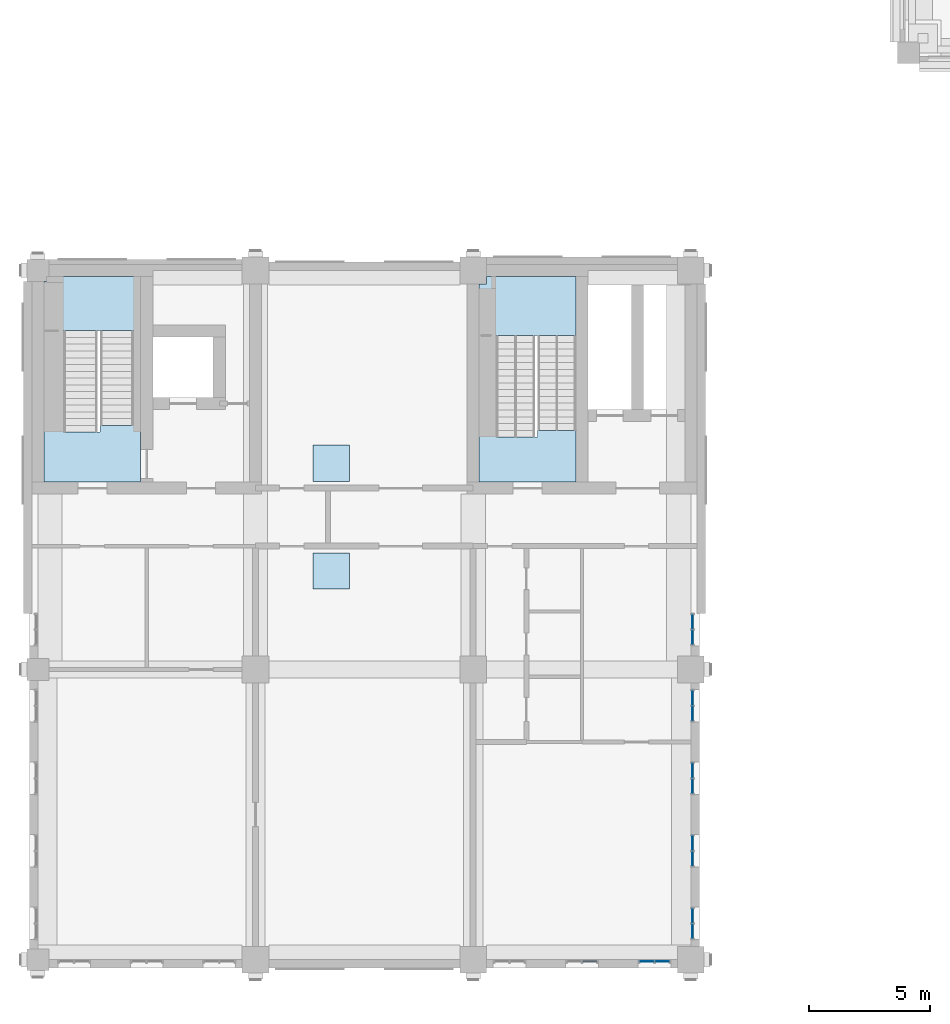
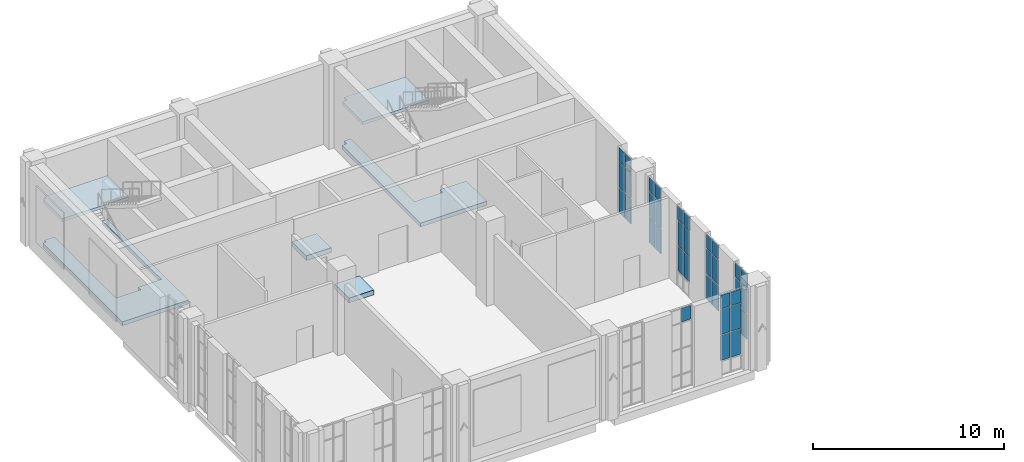
# One storey, part 10 of 22: 37 plates, 6 slabs, 9 elements without a shape of their own.
"""IFC4 building model written with IfcOpenShell, lengths in metres."""

from ifc_helpers import new_model, si_unit, direction, frame, origin, origin_2d, place, context, subcontext, project, spatial, polyline, rectangle, outline, extrude, material, layer, layer_set, type_object, element, aggregate, save


model = new_model("IFC4")

# Units and contexts
model_context = context("Model", 3, precision=1e-05, world=origin(), true_north=direction((0.0, 1.0)))
body_context = subcontext(model_context, "Body", "Model", "MODEL_VIEW")
ifc_project = project(units=[si_unit("LENGTHUNIT", "METRE"), si_unit("AREAUNIT", "SQUARE_METRE"), si_unit("VOLUMEUNIT", "CUBIC_METRE"), si_unit("PLANEANGLEUNIT", "RADIAN"), si_unit("MASSUNIT", "GRAM", prefix="KILO")], contexts=[model_context])

# Site, building, storey
site_placement = place(None, origin())
site = spatial("IfcSite", under=ifc_project, at=site_placement, CompositionType="ELEMENT")
building_placement = place(site_placement, origin())
building = spatial("IfcBuilding", under=site, at=building_placement, Name="Aurelan Courthouse", CompositionType="ELEMENT")
storey_placement = place(building_placement, frame((0.0, 0.0, 39.0)))
storey = spatial("IfcBuildingStorey", under=building, at=storey_placement, Name="L07", CompositionType="ELEMENT", Elevation=39.0)

# Curtain wall, plate
ifc_material_1 = material(Name="Bronze-finished aluminium and glass", Category="aluminium")
ifc_layer_1 = layer(ifc_material_1, 0.14990234375)
ifc_layer_set_1 = layer_set([ifc_layer_1], Name="Bronze-finished aluminium and glass")
curtain_wall_type = type_object("IfcCurtainWallType", Name="Curtain wall 1350 x 5150", PredefinedType="NOTDEFINED", material=ifc_layer_set_1)
curtain_wall_1_placement = place(storey_placement, origin())
curtain_wall_1 = element("IfcCurtainWall", 1, at=curtain_wall_1_placement, inside=storey, type_object=curtain_wall_type, Name="Curtain wall CW-V5-L07-S05", PredefinedType="NOTDEFINED")
ifc_material_2 = material(Name="Limestone cladding", Category="masonry")
ifc_layer_2 = layer(ifc_material_2, 0.0400390625, Name="Facing")
ifc_material_3 = material(Name="Bronze sheet cladding", Category="bronze")
ifc_layer_3 = layer(ifc_material_3, 0.02001953125, Name="Back sheet")
ifc_layer_set_2 = layer_set([ifc_layer_2, ifc_layer_3], Name="Limestone cladding")
plate_type_1 = type_object("IfcPlateType", Name="Limestone spandrel panel with bronze back sheet 60", PredefinedType="CURTAIN_PANEL", material=ifc_layer_set_2)
plate_1_placement = place(storey_placement, frame((22.822509765625, -0.074951171875, 4.22998046875), z_axis=(0.0, 0.0, 1.0), x_axis=(1.0, 0.0, 0.0)))
plate_1 = element("IfcPlate", 2, at=plate_1_placement, type_object=plate_type_1, Name="CW-V5-L07-S05 spandrel panel 2.4", PredefinedType="CURTAIN_PANEL", context=body_context, shape_type="SweptSolid", body=[
    extrude(rectangle(XDim=0.5849609375, YDim=0.06005859375, at=origin_2d()), origin(), (0.0, 0.0, 1.0), 0.860107421875),
])
aggregate(curtain_wall_1, [plate_1])

# Curtain wall, plates
curtain_wall_2_placement = place(storey_placement, origin())
curtain_wall_2 = element("IfcCurtainWall", 3, at=curtain_wall_2_placement, inside=storey, type_object=curtain_wall_type, Name="Curtain wall CW-V5-L07-S06", PredefinedType="NOTDEFINED")
plate_2_placement = place(storey_placement, frame((25.177490234375, -0.074951171875, 4.22998046875), z_axis=(0.0, 0.0, 1.0), x_axis=(1.0, 0.0, 0.0)))
plate_2 = element("IfcPlate", 4, at=plate_2_placement, type_object=plate_type_1, Name="CW-V5-L07-S06 spandrel panel 1.4", PredefinedType="CURTAIN_PANEL", context=body_context, shape_type="SweptSolid", body=[
    extrude(rectangle(XDim=0.5849609375, YDim=0.06005859375, at=origin_2d()), origin(), (0.0, 0.0, 1.0), 0.860107421875),
])
plate_3_placement = place(storey_placement, frame((25.822509765625, -0.074951171875, 4.22998046875), z_axis=(0.0, 0.0, 1.0), x_axis=(1.0, 0.0, 0.0)))
plate_3 = element("IfcPlate", 5, at=plate_3_placement, type_object=plate_type_1, Name="CW-V5-L07-S06 spandrel panel 2.4", PredefinedType="CURTAIN_PANEL", context=body_context, shape_type="SweptSolid", body=[
    extrude(rectangle(XDim=0.5849609375, YDim=0.06005859375, at=origin_2d()), origin(), (0.0, 0.0, 1.0), 0.860107421875),
])

curtain_wall_3_placement = place(storey_placement, origin())
curtain_wall_3 = element("IfcCurtainWall", 6, at=curtain_wall_3_placement, inside=storey, type_object=curtain_wall_type, Name="Curtain wall CW-V5-L07-E01", PredefinedType="NOTDEFINED")
plate_4_placement = place(storey_placement, frame((27.074951171875, 1.177490234375, 4.22998046875), z_axis=(0.0, 0.0, 1.0), x_axis=(0.0, 1.0, 0.0)))
plate_4 = element("IfcPlate", 7, at=plate_4_placement, type_object=plate_type_1, Name="CW-V5-L07-E01 spandrel panel 1.4", PredefinedType="CURTAIN_PANEL", context=body_context, shape_type="SweptSolid", body=[
    extrude(rectangle(XDim=0.5849609375, YDim=0.06005859375, at=origin_2d()), origin(), (0.0, 0.0, 1.0), 0.860107421875),
])
plate_5_placement = place(storey_placement, frame((27.074951171875, 1.822509765625, 4.22998046875), z_axis=(0.0, 0.0, 1.0), x_axis=(0.0, 1.0, 0.0)))
plate_5 = element("IfcPlate", 8, at=plate_5_placement, type_object=plate_type_1, Name="CW-V5-L07-E01 spandrel panel 2.4", PredefinedType="CURTAIN_PANEL", context=body_context, shape_type="SweptSolid", body=[
    extrude(rectangle(XDim=0.5849609375, YDim=0.06005859375, at=origin_2d()), origin(), (0.0, 0.0, 1.0), 0.860107421875),
])

curtain_wall_4_placement = place(storey_placement, origin())
curtain_wall_4 = element("IfcCurtainWall", 9, at=curtain_wall_4_placement, inside=storey, type_object=curtain_wall_type, Name="Curtain wall CW-V5-L07-E02", PredefinedType="NOTDEFINED")
plate_6_placement = place(storey_placement, frame((27.074951171875, 4.177490234375, 4.22998046875), z_axis=(0.0, 0.0, 1.0), x_axis=(0.0, 1.0, 0.0)))
plate_6 = element("IfcPlate", 10, at=plate_6_placement, type_object=plate_type_1, Name="CW-V5-L07-E02 spandrel panel 1.4", PredefinedType="CURTAIN_PANEL", context=body_context, shape_type="SweptSolid", body=[
    extrude(rectangle(XDim=0.5849609375, YDim=0.06005859375, at=origin_2d()), origin(), (0.0, 0.0, 1.0), 0.860107421875),
])
plate_7_placement = place(storey_placement, frame((27.074951171875, 4.822509765625, 4.22998046875), z_axis=(0.0, 0.0, 1.0), x_axis=(0.0, 1.0, 0.0)))
plate_7 = element("IfcPlate", 11, at=plate_7_placement, type_object=plate_type_1, Name="CW-V5-L07-E02 spandrel panel 2.4", PredefinedType="CURTAIN_PANEL", context=body_context, shape_type="SweptSolid", body=[
    extrude(rectangle(XDim=0.5849609375, YDim=0.06005859375, at=origin_2d()), origin(), (0.0, 0.0, 1.0), 0.860107421875),
])

curtain_wall_5_placement = place(storey_placement, origin())
curtain_wall_5 = element("IfcCurtainWall", 12, at=curtain_wall_5_placement, inside=storey, type_object=curtain_wall_type, Name="Curtain wall CW-V5-L07-E03", PredefinedType="NOTDEFINED")
plate_8_placement = place(storey_placement, frame((27.074951171875, 7.177490234375, 4.22998046875), z_axis=(0.0, 0.0, 1.0), x_axis=(0.0, 1.0, 0.0)))
plate_8 = element("IfcPlate", 13, at=plate_8_placement, type_object=plate_type_1, Name="CW-V5-L07-E03 spandrel panel 1.4", PredefinedType="CURTAIN_PANEL", context=body_context, shape_type="SweptSolid", body=[
    extrude(rectangle(XDim=0.5849609375, YDim=0.06005859375, at=origin_2d()), origin(), (0.0, 0.0, 1.0), 0.860107421875),
])
plate_9_placement = place(storey_placement, frame((27.074951171875, 7.822509765625, 4.22998046875), z_axis=(0.0, 0.0, 1.0), x_axis=(0.0, 1.0, 0.0)))
plate_9 = element("IfcPlate", 14, at=plate_9_placement, type_object=plate_type_1, Name="CW-V5-L07-E03 spandrel panel 2.4", PredefinedType="CURTAIN_PANEL", context=body_context, shape_type="SweptSolid", body=[
    extrude(rectangle(XDim=0.5849609375, YDim=0.06005859375, at=origin_2d()), origin(), (0.0, 0.0, 1.0), 0.860107421875),
])

curtain_wall_6_placement = place(storey_placement, origin())
curtain_wall_6 = element("IfcCurtainWall", 15, at=curtain_wall_6_placement, inside=storey, type_object=curtain_wall_type, Name="Curtain wall CW-V5-L07-E04", PredefinedType="NOTDEFINED")
plate_10_placement = place(storey_placement, frame((27.074951171875, 10.177490234375, 4.22998046875), z_axis=(0.0, 0.0, 1.0), x_axis=(0.0, 1.0, 0.0)))
plate_10 = element("IfcPlate", 16, at=plate_10_placement, type_object=plate_type_1, Name="CW-V5-L07-E04 spandrel panel 1.4", PredefinedType="CURTAIN_PANEL", context=body_context, shape_type="SweptSolid", body=[
    extrude(rectangle(XDim=0.5849609375, YDim=0.06005859375, at=origin_2d()), origin(), (0.0, 0.0, 1.0), 0.860107421875),
])
plate_11_placement = place(storey_placement, frame((27.074951171875, 10.822509765625, 4.22998046875), z_axis=(0.0, 0.0, 1.0), x_axis=(0.0, 1.0, 0.0)))
plate_11 = element("IfcPlate", 17, at=plate_11_placement, type_object=plate_type_1, Name="CW-V5-L07-E04 spandrel panel 2.4", PredefinedType="CURTAIN_PANEL", context=body_context, shape_type="SweptSolid", body=[
    extrude(rectangle(XDim=0.5849609375, YDim=0.06005859375, at=origin_2d()), origin(), (0.0, 0.0, 1.0), 0.860107421875),
])

curtain_wall_7_placement = place(storey_placement, origin())
curtain_wall_7 = element("IfcCurtainWall", 18, at=curtain_wall_7_placement, inside=storey, type_object=curtain_wall_type, Name="Curtain wall CW-V5-L07-E05", PredefinedType="NOTDEFINED")
plate_12_placement = place(storey_placement, frame((27.074951171875, 13.327392578125, 4.22998046875), z_axis=(0.0, 0.0, 1.0), x_axis=(0.0, 1.0, 0.0)))
plate_12 = element("IfcPlate", 19, at=plate_12_placement, type_object=plate_type_1, Name="CW-V5-L07-E05 spandrel panel 1.4", PredefinedType="CURTAIN_PANEL", context=body_context, shape_type="SweptSolid", body=[
    extrude(rectangle(XDim=0.5849609375, YDim=0.06005859375, at=origin_2d()), origin(), (0.0, 0.0, 1.0), 0.860107421875),
])
plate_13_placement = place(storey_placement, frame((27.074951171875, 13.972412109375, 4.22998046875), z_axis=(0.0, 0.0, 1.0), x_axis=(0.0, 1.0, 0.0)))
plate_13 = element("IfcPlate", 20, at=plate_13_placement, type_object=plate_type_1, Name="CW-V5-L07-E05 spandrel panel 2.4", PredefinedType="CURTAIN_PANEL", context=body_context, shape_type="SweptSolid", body=[
    extrude(rectangle(XDim=0.5849609375, YDim=0.06005859375, at=origin_2d()), origin(), (0.0, 0.0, 1.0), 0.860107421875),
])

# Stair, slab
ifc_material_4 = material(Name="Concrete C30", Category="concrete")
stair_type_1 = type_object("IfcStairType", Name="Half-turn stair 1600 wide 31 risers", PredefinedType="HALF_TURN_STAIR", material=ifc_material_4)
stair_1_placement = place(storey_placement, origin())
stair_1 = element("IfcStair", 21, at=stair_1_placement, inside=storey, type_object=stair_type_1, Name="Stair ST-5A-L07", PredefinedType="HALF_TURN_STAIR")
ifc_layer_4 = layer(ifc_material_4, 0.25)
ifc_layer_set_3 = layer_set([ifc_layer_4], Name="Concrete C30")
slab_type_1 = type_object("IfcSlabType", Name="Stair floor landing 250 thick", PredefinedType="LANDING", material=ifc_layer_set_3)
slab_1_placement = place(storey_placement, frame((0.0, 0.0, -0.25)))
slab_1 = element("IfcSlab", 22, at=slab_1_placement, type_object=slab_type_1, Name="Stair ST-5A-L07 floor landing", PredefinedType="LANDING", context=body_context, shape_type="SweptSolid", body=[
    extrude(outline(polyline([(18.949951171875, 21.611083984375), (20.64990234375, 21.611083984375), (20.64990234375, 21.89111328125), (22.25, 21.89111328125), (22.25, 21.611083984375), (22.25, 21.60888671875), (22.25, 19.75), (18.25, 19.75), (18.25, 27.949951171875), (18.550048828125, 27.949951171875), (18.550048828125, 28.25), (18.949951171875, 28.25), (18.949951171875, 21.611083984375)])), origin(), (0.0, 0.0, 1.0), 0.25),
])

stair_type_2 = type_object("IfcStairType", Name="Half-turn stair 1400 wide 31 risers", PredefinedType="HALF_TURN_STAIR", material=ifc_material_4)
stair_2_placement = place(storey_placement, origin())
stair_2 = element("IfcStair", 23, at=stair_2_placement, inside=storey, type_object=stair_type_2, Name="Stair ST-5B-L07", PredefinedType="HALF_TURN_STAIR")
slab_2_placement = place(storey_placement, frame((0.0, 0.0, -0.25)))
slab_2 = element("IfcSlab", 24, at=slab_2_placement, type_object=slab_type_1, Name="Stair ST-5B-L07 floor landing", PredefinedType="LANDING", context=body_context, shape_type="SweptSolid", body=[
    extrude(outline(polyline([(1.06005859375, 28.25), (1.06005859375, 21.81103515625), (2.56005859375, 21.81103515625), (2.56005859375, 22.091064453125), (3.9599609375, 22.091064453125), (3.9599609375, 28.25), (4.25, 28.25), (4.25, 19.75), (0.409912109375, 19.75), (0.39990234375, 19.75), (0.25, 19.75), (0.25, 28.050048828125), (0.449951171875, 28.050048828125), (0.449951171875, 28.25), (1.06005859375, 28.25)])), origin(), (0.0, 0.0, 1.0), 0.25),
])

# Slab
ifc_layer_5 = layer(ifc_material_4, 0.199951171875)
ifc_layer_set_4 = layer_set([ifc_layer_5], Name="Concrete C30")
slab_type_2 = type_object("IfcSlabType", Name="Stair half landing 200 thick", PredefinedType="LANDING", material=ifc_layer_set_4)
slab_3_placement = place(storey_placement, frame((0.0, 0.0, 2.587158203125)))
slab_3 = element("IfcSlab", 25, at=slab_3_placement, type_object=slab_type_2, Name="Stair ST-5A-L07 half landing", PredefinedType="LANDING", context=body_context, shape_type="SweptSolid", body=[
    extrude(outline(polyline([(18.25, 27.949951171875), (18.550048828125, 27.949951171875), (18.550048828125, 28.25), (22.25, 28.25), (22.25, 25.81005859375), (18.25, 25.81005859375), (18.25, 27.949951171875)])), origin(), (0.0, 0.0, 1.0), 0.199951171875),
])

aggregate(stair_1, [slab_3, slab_1])

slab_4_placement = place(storey_placement, frame((0.0, 0.0, 2.587158203125)))
slab_4 = element("IfcSlab", 26, at=slab_4_placement, type_object=slab_type_2, Name="Stair ST-5B-L07 half landing", PredefinedType="LANDING", context=body_context, shape_type="SweptSolid", body=[
    extrude(outline(polyline([(4.25, 28.25), (4.25, 26.010009765625), (0.25, 26.010009765625), (0.25, 28.050048828125), (0.449951171875, 28.050048828125), (0.449951171875, 28.25), (4.25, 28.25)])), origin(), (0.0, 0.0, 1.0), 0.199951171875),
])

aggregate(stair_2, [slab_4, slab_2])

# Plate
ifc_material_5 = material(Name="Laminated low-emissivity glass", Category="glass")
ifc_layer_6 = layer(ifc_material_5, 0.028076171875)
ifc_layer_set_5 = layer_set([ifc_layer_6], Name="Laminated low-emissivity glass")
plate_type_2 = type_object("IfcPlateType", Name="Vision glass panel 28", PredefinedType="CURTAIN_PANEL", material=ifc_layer_set_5)
plate_14_placement = place(storey_placement, frame((25.177490234375, -0.074951171875, 0.93017578125), z_axis=(0.0, 0.0, 1.0), x_axis=(1.0, 0.0, 0.0)))
plate_14 = element("IfcPlate", 27, at=plate_14_placement, type_object=plate_type_2, Name="CW-V5-L07-S06 vision panel 1.2", PredefinedType="CURTAIN_PANEL", context=body_context, shape_type="SweptSolid", body=[
    extrude(rectangle(XDim=0.5849609375, YDim=0.028076171875, at=origin_2d()), origin(), (0.0, 0.0, 1.0), 1.590087890625),
])

plate_15_placement = place(storey_placement, frame((25.177490234375, -0.074951171875, 2.580078125), z_axis=(0.0, 0.0, 1.0), x_axis=(1.0, 0.0, 0.0)))
plate_15 = element("IfcPlate", 28, at=plate_15_placement, type_object=plate_type_2, Name="CW-V5-L07-S06 vision panel 1.3", PredefinedType="CURTAIN_PANEL", context=body_context, shape_type="SweptSolid", body=[
    extrude(rectangle(XDim=0.5849609375, YDim=0.028076171875, at=origin_2d()), origin(), (0.0, 0.0, 1.0), 1.590087890625),
])

plate_16_placement = place(storey_placement, frame((25.822509765625, -0.074951171875, 0.93017578125), z_axis=(0.0, 0.0, 1.0), x_axis=(1.0, 0.0, 0.0)))
plate_16 = element("IfcPlate", 29, at=plate_16_placement, type_object=plate_type_2, Name="CW-V5-L07-S06 vision panel 2.2", PredefinedType="CURTAIN_PANEL", context=body_context, shape_type="SweptSolid", body=[
    extrude(rectangle(XDim=0.5849609375, YDim=0.028076171875, at=origin_2d()), origin(), (0.0, 0.0, 1.0), 1.590087890625),
])

plate_17_placement = place(storey_placement, frame((25.822509765625, -0.074951171875, 2.580078125), z_axis=(0.0, 0.0, 1.0), x_axis=(1.0, 0.0, 0.0)))
plate_17 = element("IfcPlate", 30, at=plate_17_placement, type_object=plate_type_2, Name="CW-V5-L07-S06 vision panel 2.3", PredefinedType="CURTAIN_PANEL", context=body_context, shape_type="SweptSolid", body=[
    extrude(rectangle(XDim=0.5849609375, YDim=0.028076171875, at=origin_2d()), origin(), (0.0, 0.0, 1.0), 1.590087890625),
])

aggregate(curtain_wall_2, [plate_14, plate_15, plate_2, plate_16, plate_17, plate_3])

plate_18_placement = place(storey_placement, frame((27.074951171875, 1.177490234375, 0.93017578125), z_axis=(0.0, 0.0, 1.0), x_axis=(0.0, 1.0, 0.0)))
plate_18 = element("IfcPlate", 31, at=plate_18_placement, type_object=plate_type_2, Name="CW-V5-L07-E01 vision panel 1.2", PredefinedType="CURTAIN_PANEL", context=body_context, shape_type="SweptSolid", body=[
    extrude(rectangle(XDim=0.5849609375, YDim=0.028076171875, at=origin_2d()), origin(), (0.0, 0.0, 1.0), 1.590087890625),
])

plate_19_placement = place(storey_placement, frame((27.074951171875, 1.177490234375, 2.580078125), z_axis=(0.0, 0.0, 1.0), x_axis=(0.0, 1.0, 0.0)))
plate_19 = element("IfcPlate", 32, at=plate_19_placement, type_object=plate_type_2, Name="CW-V5-L07-E01 vision panel 1.3", PredefinedType="CURTAIN_PANEL", context=body_context, shape_type="SweptSolid", body=[
    extrude(rectangle(XDim=0.5849609375, YDim=0.028076171875, at=origin_2d()), origin(), (0.0, 0.0, 1.0), 1.590087890625),
])

plate_20_placement = place(storey_placement, frame((27.074951171875, 1.822509765625, 0.93017578125), z_axis=(0.0, 0.0, 1.0), x_axis=(0.0, 1.0, 0.0)))
plate_20 = element("IfcPlate", 33, at=plate_20_placement, type_object=plate_type_2, Name="CW-V5-L07-E01 vision panel 2.2", PredefinedType="CURTAIN_PANEL", context=body_context, shape_type="SweptSolid", body=[
    extrude(rectangle(XDim=0.5849609375, YDim=0.028076171875, at=origin_2d()), origin(), (0.0, 0.0, 1.0), 1.590087890625),
])

plate_21_placement = place(storey_placement, frame((27.074951171875, 1.822509765625, 2.580078125), z_axis=(0.0, 0.0, 1.0), x_axis=(0.0, 1.0, 0.0)))
plate_21 = element("IfcPlate", 34, at=plate_21_placement, type_object=plate_type_2, Name="CW-V5-L07-E01 vision panel 2.3", PredefinedType="CURTAIN_PANEL", context=body_context, shape_type="SweptSolid", body=[
    extrude(rectangle(XDim=0.5849609375, YDim=0.028076171875, at=origin_2d()), origin(), (0.0, 0.0, 1.0), 1.590087890625),
])

aggregate(curtain_wall_3, [plate_18, plate_19, plate_4, plate_20, plate_21, plate_5])

plate_22_placement = place(storey_placement, frame((27.074951171875, 4.177490234375, 0.93017578125), z_axis=(0.0, 0.0, 1.0), x_axis=(0.0, 1.0, 0.0)))
plate_22 = element("IfcPlate", 35, at=plate_22_placement, type_object=plate_type_2, Name="CW-V5-L07-E02 vision panel 1.2", PredefinedType="CURTAIN_PANEL", context=body_context, shape_type="SweptSolid", body=[
    extrude(rectangle(XDim=0.5849609375, YDim=0.028076171875, at=origin_2d()), origin(), (0.0, 0.0, 1.0), 1.590087890625),
])

plate_23_placement = place(storey_placement, frame((27.074951171875, 4.177490234375, 2.580078125), z_axis=(0.0, 0.0, 1.0), x_axis=(0.0, 1.0, 0.0)))
plate_23 = element("IfcPlate", 36, at=plate_23_placement, type_object=plate_type_2, Name="CW-V5-L07-E02 vision panel 1.3", PredefinedType="CURTAIN_PANEL", context=body_context, shape_type="SweptSolid", body=[
    extrude(rectangle(XDim=0.5849609375, YDim=0.028076171875, at=origin_2d()), origin(), (0.0, 0.0, 1.0), 1.590087890625),
])

plate_24_placement = place(storey_placement, frame((27.074951171875, 4.822509765625, 0.93017578125), z_axis=(0.0, 0.0, 1.0), x_axis=(0.0, 1.0, 0.0)))
plate_24 = element("IfcPlate", 37, at=plate_24_placement, type_object=plate_type_2, Name="CW-V5-L07-E02 vision panel 2.2", PredefinedType="CURTAIN_PANEL", context=body_context, shape_type="SweptSolid", body=[
    extrude(rectangle(XDim=0.5849609375, YDim=0.028076171875, at=origin_2d()), origin(), (0.0, 0.0, 1.0), 1.590087890625),
])

plate_25_placement = place(storey_placement, frame((27.074951171875, 4.822509765625, 2.580078125), z_axis=(0.0, 0.0, 1.0), x_axis=(0.0, 1.0, 0.0)))
plate_25 = element("IfcPlate", 38, at=plate_25_placement, type_object=plate_type_2, Name="CW-V5-L07-E02 vision panel 2.3", PredefinedType="CURTAIN_PANEL", context=body_context, shape_type="SweptSolid", body=[
    extrude(rectangle(XDim=0.5849609375, YDim=0.028076171875, at=origin_2d()), origin(), (0.0, 0.0, 1.0), 1.590087890625),
])

aggregate(curtain_wall_4, [plate_22, plate_23, plate_6, plate_24, plate_25, plate_7])

plate_26_placement = place(storey_placement, frame((27.074951171875, 7.177490234375, 0.93017578125), z_axis=(0.0, 0.0, 1.0), x_axis=(0.0, 1.0, 0.0)))
plate_26 = element("IfcPlate", 39, at=plate_26_placement, type_object=plate_type_2, Name="CW-V5-L07-E03 vision panel 1.2", PredefinedType="CURTAIN_PANEL", context=body_context, shape_type="SweptSolid", body=[
    extrude(rectangle(XDim=0.5849609375, YDim=0.028076171875, at=origin_2d()), origin(), (0.0, 0.0, 1.0), 1.590087890625),
])

plate_27_placement = place(storey_placement, frame((27.074951171875, 7.177490234375, 2.580078125), z_axis=(0.0, 0.0, 1.0), x_axis=(0.0, 1.0, 0.0)))
plate_27 = element("IfcPlate", 40, at=plate_27_placement, type_object=plate_type_2, Name="CW-V5-L07-E03 vision panel 1.3", PredefinedType="CURTAIN_PANEL", context=body_context, shape_type="SweptSolid", body=[
    extrude(rectangle(XDim=0.5849609375, YDim=0.028076171875, at=origin_2d()), origin(), (0.0, 0.0, 1.0), 1.590087890625),
])

plate_28_placement = place(storey_placement, frame((27.074951171875, 7.822509765625, 0.93017578125), z_axis=(0.0, 0.0, 1.0), x_axis=(0.0, 1.0, 0.0)))
plate_28 = element("IfcPlate", 41, at=plate_28_placement, type_object=plate_type_2, Name="CW-V5-L07-E03 vision panel 2.2", PredefinedType="CURTAIN_PANEL", context=body_context, shape_type="SweptSolid", body=[
    extrude(rectangle(XDim=0.5849609375, YDim=0.028076171875, at=origin_2d()), origin(), (0.0, 0.0, 1.0), 1.590087890625),
])

plate_29_placement = place(storey_placement, frame((27.074951171875, 7.822509765625, 2.580078125), z_axis=(0.0, 0.0, 1.0), x_axis=(0.0, 1.0, 0.0)))
plate_29 = element("IfcPlate", 42, at=plate_29_placement, type_object=plate_type_2, Name="CW-V5-L07-E03 vision panel 2.3", PredefinedType="CURTAIN_PANEL", context=body_context, shape_type="SweptSolid", body=[
    extrude(rectangle(XDim=0.5849609375, YDim=0.028076171875, at=origin_2d()), origin(), (0.0, 0.0, 1.0), 1.590087890625),
])

aggregate(curtain_wall_5, [plate_26, plate_27, plate_8, plate_28, plate_29, plate_9])

plate_30_placement = place(storey_placement, frame((27.074951171875, 10.177490234375, 0.93017578125), z_axis=(0.0, 0.0, 1.0), x_axis=(0.0, 1.0, 0.0)))
plate_30 = element("IfcPlate", 43, at=plate_30_placement, type_object=plate_type_2, Name="CW-V5-L07-E04 vision panel 1.2", PredefinedType="CURTAIN_PANEL", context=body_context, shape_type="SweptSolid", body=[
    extrude(rectangle(XDim=0.5849609375, YDim=0.028076171875, at=origin_2d()), origin(), (0.0, 0.0, 1.0), 1.590087890625),
])

plate_31_placement = place(storey_placement, frame((27.074951171875, 10.177490234375, 2.580078125), z_axis=(0.0, 0.0, 1.0), x_axis=(0.0, 1.0, 0.0)))
plate_31 = element("IfcPlate", 44, at=plate_31_placement, type_object=plate_type_2, Name="CW-V5-L07-E04 vision panel 1.3", PredefinedType="CURTAIN_PANEL", context=body_context, shape_type="SweptSolid", body=[
    extrude(rectangle(XDim=0.5849609375, YDim=0.028076171875, at=origin_2d()), origin(), (0.0, 0.0, 1.0), 1.590087890625),
])

plate_32_placement = place(storey_placement, frame((27.074951171875, 10.822509765625, 0.93017578125), z_axis=(0.0, 0.0, 1.0), x_axis=(0.0, 1.0, 0.0)))
plate_32 = element("IfcPlate", 45, at=plate_32_placement, type_object=plate_type_2, Name="CW-V5-L07-E04 vision panel 2.2", PredefinedType="CURTAIN_PANEL", context=body_context, shape_type="SweptSolid", body=[
    extrude(rectangle(XDim=0.5849609375, YDim=0.028076171875, at=origin_2d()), origin(), (0.0, 0.0, 1.0), 1.590087890625),
])

plate_33_placement = place(storey_placement, frame((27.074951171875, 10.822509765625, 2.580078125), z_axis=(0.0, 0.0, 1.0), x_axis=(0.0, 1.0, 0.0)))
plate_33 = element("IfcPlate", 46, at=plate_33_placement, type_object=plate_type_2, Name="CW-V5-L07-E04 vision panel 2.3", PredefinedType="CURTAIN_PANEL", context=body_context, shape_type="SweptSolid", body=[
    extrude(rectangle(XDim=0.5849609375, YDim=0.028076171875, at=origin_2d()), origin(), (0.0, 0.0, 1.0), 1.590087890625),
])

aggregate(curtain_wall_6, [plate_30, plate_31, plate_10, plate_32, plate_33, plate_11])

plate_34_placement = place(storey_placement, frame((27.074951171875, 13.327392578125, 0.93017578125), z_axis=(0.0, 0.0, 1.0), x_axis=(0.0, 1.0, 0.0)))
plate_34 = element("IfcPlate", 47, at=plate_34_placement, type_object=plate_type_2, Name="CW-V5-L07-E05 vision panel 1.2", PredefinedType="CURTAIN_PANEL", context=body_context, shape_type="SweptSolid", body=[
    extrude(rectangle(XDim=0.5849609375, YDim=0.028076171875, at=origin_2d()), origin(), (0.0, 0.0, 1.0), 1.590087890625),
])

plate_35_placement = place(storey_placement, frame((27.074951171875, 13.327392578125, 2.580078125), z_axis=(0.0, 0.0, 1.0), x_axis=(0.0, 1.0, 0.0)))
plate_35 = element("IfcPlate", 48, at=plate_35_placement, type_object=plate_type_2, Name="CW-V5-L07-E05 vision panel 1.3", PredefinedType="CURTAIN_PANEL", context=body_context, shape_type="SweptSolid", body=[
    extrude(rectangle(XDim=0.5849609375, YDim=0.028076171875, at=origin_2d()), origin(), (0.0, 0.0, 1.0), 1.590087890625),
])

plate_36_placement = place(storey_placement, frame((27.074951171875, 13.972412109375, 0.93017578125), z_axis=(0.0, 0.0, 1.0), x_axis=(0.0, 1.0, 0.0)))
plate_36 = element("IfcPlate", 49, at=plate_36_placement, type_object=plate_type_2, Name="CW-V5-L07-E05 vision panel 2.2", PredefinedType="CURTAIN_PANEL", context=body_context, shape_type="SweptSolid", body=[
    extrude(rectangle(XDim=0.5849609375, YDim=0.028076171875, at=origin_2d()), origin(), (0.0, 0.0, 1.0), 1.590087890625),
])

plate_37_placement = place(storey_placement, frame((27.074951171875, 13.972412109375, 2.580078125), z_axis=(0.0, 0.0, 1.0), x_axis=(0.0, 1.0, 0.0)))
plate_37 = element("IfcPlate", 50, at=plate_37_placement, type_object=plate_type_2, Name="CW-V5-L07-E05 vision panel 2.3", PredefinedType="CURTAIN_PANEL", context=body_context, shape_type="SweptSolid", body=[
    extrude(rectangle(XDim=0.5849609375, YDim=0.028076171875, at=origin_2d()), origin(), (0.0, 0.0, 1.0), 1.590087890625),
])

aggregate(curtain_wall_7, [plate_34, plate_35, plate_12, plate_36, plate_37, plate_13])

# Slabs
ifc_layer_7 = layer(ifc_material_4, 0.300048828125)
ifc_layer_set_6 = layer_set([ifc_layer_7], Name="Concrete C30")
slab_type_3 = type_object("IfcSlabType", Name="Witness dais 300", PredefinedType="FLOOR", material=ifc_layer_set_6)
slab_5_placement = place(storey_placement, origin())
element("IfcSlab", 51, at=slab_5_placement, inside=storey, type_object=slab_type_3, Name="Witness dais Appeal Courtroom 5.07.01", PredefinedType="FLOOR", context=body_context, shape_type="SweptSolid", body=[
    extrude(outline(polyline([(11.375, 15.324951171875), (12.875, 15.324951171875), (12.875, 16.824951171875), (11.375, 16.824951171875), (11.375, 15.324951171875)])), origin(), (0.0, 0.0, 1.0), 0.300048828125),
])
slab_6_placement = place(storey_placement, origin())
element("IfcSlab", 52, at=slab_6_placement, inside=storey, type_object=slab_type_3, Name="Witness dais Appeal Panel Courtroom 5.07.01", PredefinedType="FLOOR", context=body_context, shape_type="SweptSolid", body=[
    extrude(outline(polyline([(11.375, 19.77490234375), (12.875, 19.77490234375), (12.875, 21.27490234375), (11.375, 21.27490234375), (11.375, 19.77490234375)])), origin(), (0.0, 0.0, 1.0), 0.300048828125),
])

save(model, "model.ifc")
